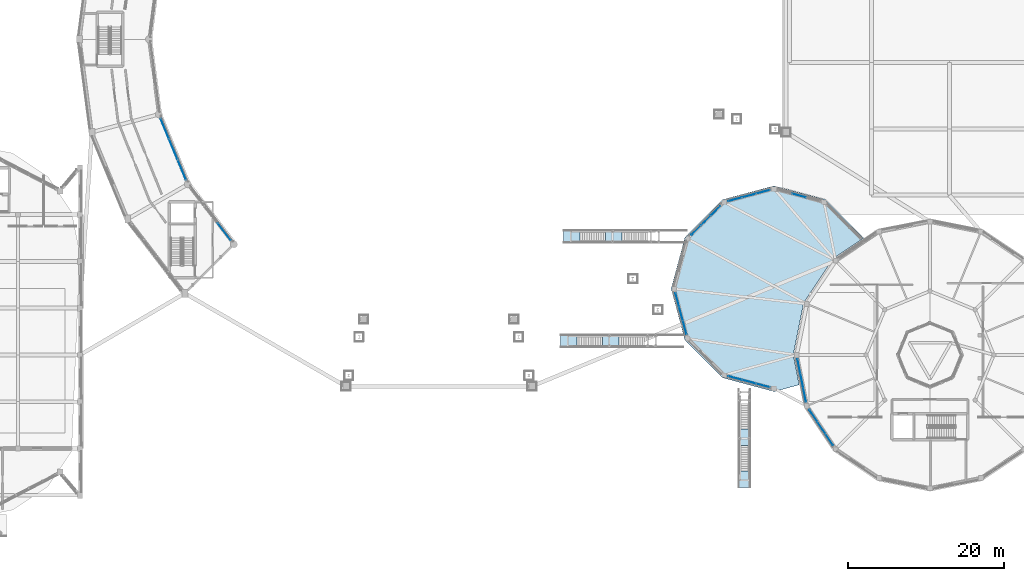
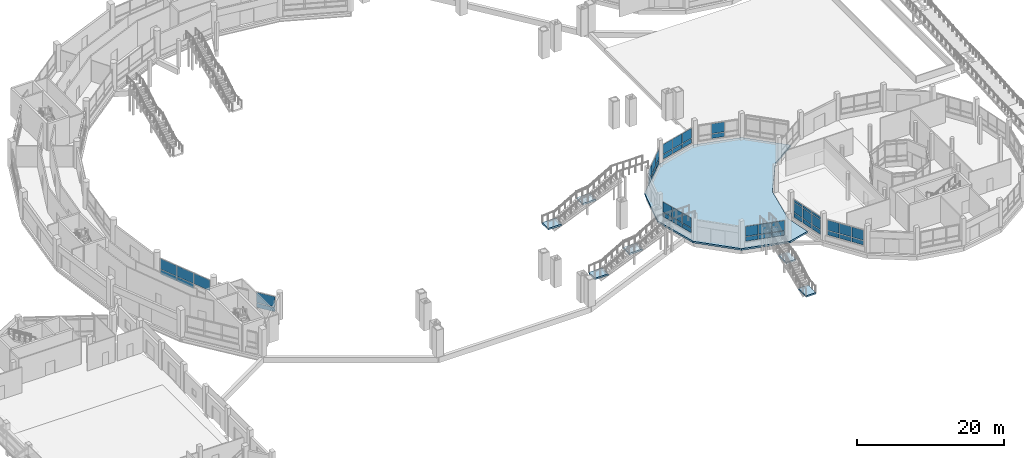
# One storey, part 99 of 129: 48 plates, 7 slabs, 12 elements without a shape of their own.
"""IFC4 building model written with IfcOpenShell, lengths in metres."""

from ifc_helpers import new_model, si_unit, direction, frame, origin, origin_2d, place, context, subcontext, project, spatial, polyline, rectangle, outline, extrude, material, layer, layer_set, type_object, element, aggregate, save


model = new_model("IFC4")

# Units and contexts
model_context = context("Model", 3, precision=1e-05, world=origin(), true_north=direction((0.0, 1.0)))
body_context = subcontext(model_context, "Body", "Model", "MODEL_VIEW")
ifc_project = project(units=[si_unit("LENGTHUNIT", "METRE"), si_unit("AREAUNIT", "SQUARE_METRE"), si_unit("VOLUMEUNIT", "CUBIC_METRE"), si_unit("PLANEANGLEUNIT", "RADIAN"), si_unit("MASSUNIT", "GRAM", prefix="KILO")], contexts=[model_context])

# Site, building, storey
site_placement = place(None, origin())
site = spatial("IfcSite", under=ifc_project, at=site_placement, CompositionType="ELEMENT")
building_placement = place(site_placement, origin())
building = spatial("IfcBuilding", under=site, at=building_placement, Name="Vespera Passage Community Centre", CompositionType="ELEMENT")
storey_placement = place(building_placement, origin())
storey = spatial("IfcBuildingStorey", under=building, at=storey_placement, Name="L00", CompositionType="ELEMENT", Elevation=0.0)

# Curtain wall, plates
ifc_material_1 = material(Name="Anodized aluminium 6063-T6", Category="aluminium")
ifc_layer_1 = layer(ifc_material_1, 0.159912109375)
ifc_layer_set_1 = layer_set([ifc_layer_1], Name="Anodized aluminium 6063-T6")
curtain_wall_type_1 = type_object("IfcCurtainWallType", Name="CW-103E", PredefinedType="NOTDEFINED", material=ifc_layer_set_1)
curtain_wall_1_placement = place(storey_placement, origin())
curtain_wall_1 = element("IfcCurtainWall", 1, at=curtain_wall_1_placement, inside=storey, type_object=curtain_wall_type_1, Name="Dining Drum Ribbon Curtain Wall L00.9", PredefinedType="NOTDEFINED")
ifc_material_2 = material(Name="Low-E insulated vision glass", Category="glass")
ifc_layer_2 = layer(ifc_material_2, 0.02001953125)
ifc_layer_set_2 = layer_set([ifc_layer_2], Name="Low-E insulated vision glass")
plate_type_1 = type_object("IfcPlateType", Name="PL-CWP-20E", PredefinedType="CURTAIN_PANEL", material=ifc_layer_set_2)
plate_1_placement = place(storey_placement, frame((124.915771484375, 19.8935546875, 0.4501953125), z_axis=(0.0, 0.0, 1.0), x_axis=(-0.195096778691, 0.980783996069, 0.0)))
plate_1 = element("IfcPlate", 2, at=plate_1_placement, type_object=plate_type_1, Name="CW-103E panel 1.1", PredefinedType="CURTAIN_PANEL", context=body_context, shape_type="SweptSolid", body=[
    extrude(rectangle(XDim=1.789306640625, YDim=0.02001953125, at=origin_2d()), origin(), (0.0, 0.0, 1.0), 0.699951171875),
])
plate_2_placement = place(storey_placement, frame((124.915771484375, 19.8935546875, 1.25), z_axis=(0.0, 0.0, 1.0), x_axis=(-0.195096778691, 0.980783996069, 0.0)))
plate_2 = element("IfcPlate", 3, at=plate_2_placement, type_object=plate_type_1, Name="CW-103E panel 1.2", PredefinedType="CURTAIN_PANEL", context=body_context, shape_type="SweptSolid", body=[
    extrude(rectangle(XDim=1.789306640625, YDim=0.02001953125, at=origin_2d()), origin(), (0.0, 0.0, 1.0), 1.625),
])
plate_3_placement = place(storey_placement, frame((124.915771484375, 19.8935546875, 2.97509765625), z_axis=(0.0, 0.0, 1.0), x_axis=(-0.195096778691, 0.980783996069, 0.0)))
plate_3 = element("IfcPlate", 4, at=plate_3_placement, type_object=plate_type_1, Name="CW-103E panel 1.3", PredefinedType="CURTAIN_PANEL", context=body_context, shape_type="SweptSolid", body=[
    extrude(rectangle(XDim=1.789306640625, YDim=0.02001953125, at=origin_2d()), origin(), (0.0, 0.0, 1.0), 0.39990234375),
])
plate_4_placement = place(storey_placement, frame((124.55078125, 21.72802734375, 0.4501953125), z_axis=(0.0, 0.0, 1.0), x_axis=(-0.195096778691, 0.980783996069, 0.0)))
plate_4 = element("IfcPlate", 5, at=plate_4_placement, type_object=plate_type_1, Name="CW-103E panel 2.1", PredefinedType="CURTAIN_PANEL", context=body_context, shape_type="SweptSolid", body=[
    extrude(rectangle(XDim=1.82177734375, YDim=0.02001953125, at=origin_2d()), origin(), (0.0, 0.0, 1.0), 0.699951171875),
])
plate_5_placement = place(storey_placement, frame((124.55078125, 21.72802734375, 1.25), z_axis=(0.0, 0.0, 1.0), x_axis=(-0.195096778691, 0.980783996069, 0.0)))
plate_5 = element("IfcPlate", 6, at=plate_5_placement, type_object=plate_type_1, Name="CW-103E panel 2.2", PredefinedType="CURTAIN_PANEL", context=body_context, shape_type="SweptSolid", body=[
    extrude(rectangle(XDim=1.82177734375, YDim=0.02001953125, at=origin_2d()), origin(), (0.0, 0.0, 1.0), 1.625),
])
plate_6_placement = place(storey_placement, frame((124.55078125, 21.72802734375, 2.97509765625), z_axis=(0.0, 0.0, 1.0), x_axis=(-0.195096778691, 0.980783996069, 0.0)))
plate_6 = element("IfcPlate", 7, at=plate_6_placement, type_object=plate_type_1, Name="CW-103E panel 2.3", PredefinedType="CURTAIN_PANEL", context=body_context, shape_type="SweptSolid", body=[
    extrude(rectangle(XDim=1.82177734375, YDim=0.02001953125, at=origin_2d()), origin(), (0.0, 0.0, 1.0), 0.39990234375),
])
plate_7_placement = place(storey_placement, frame((124.18603515625, 23.5625, 0.4501953125), z_axis=(0.0, 0.0, 1.0), x_axis=(-0.195096778691, 0.980783996069, 0.0)))
plate_7 = element("IfcPlate", 8, at=plate_7_placement, type_object=plate_type_1, Name="CW-103E panel 3.1", PredefinedType="CURTAIN_PANEL", context=body_context, shape_type="SweptSolid", body=[
    extrude(rectangle(XDim=1.789306640625, YDim=0.02001953125, at=origin_2d()), origin(), (0.0, 0.0, 1.0), 0.699951171875),
])
plate_8_placement = place(storey_placement, frame((124.18603515625, 23.5625, 1.25), z_axis=(0.0, 0.0, 1.0), x_axis=(-0.195096778691, 0.980783996069, 0.0)))
plate_8 = element("IfcPlate", 9, at=plate_8_placement, type_object=plate_type_1, Name="CW-103E panel 3.2", PredefinedType="CURTAIN_PANEL", context=body_context, shape_type="SweptSolid", body=[
    extrude(rectangle(XDim=1.789306640625, YDim=0.02001953125, at=origin_2d()), origin(), (0.0, 0.0, 1.0), 1.625),
])
plate_9_placement = place(storey_placement, frame((124.18603515625, 23.5625, 2.97509765625), z_axis=(0.0, 0.0, 1.0), x_axis=(-0.195096778691, 0.980783996069, 0.0)))
plate_9 = element("IfcPlate", 10, at=plate_9_placement, type_object=plate_type_1, Name="CW-103E panel 3.3", PredefinedType="CURTAIN_PANEL", context=body_context, shape_type="SweptSolid", body=[
    extrude(rectangle(XDim=1.789306640625, YDim=0.02001953125, at=origin_2d()), origin(), (0.0, 0.0, 1.0), 0.39990234375),
])
aggregate(curtain_wall_1, [plate_1, plate_2, plate_3, plate_4, plate_5, plate_6, plate_7, plate_8, plate_9])

ifc_material_3 = material(Name="Anodized aluminium 6063-T6", Category="aluminium")
ifc_layer_3 = layer(ifc_material_3, 0.159912109375)
ifc_layer_set_3 = layer_set([ifc_layer_3], Name="Anodized aluminium 6063-T6")
curtain_wall_type_2 = type_object("IfcCurtainWallType", Name="CW-102E", PredefinedType="NOTDEFINED", material=ifc_layer_set_3)
curtain_wall_2_placement = place(storey_placement, origin())
curtain_wall_2 = element("IfcCurtainWall", 11, at=curtain_wall_2_placement, inside=storey, type_object=curtain_wall_type_2, Name="Dining Drum Ribbon Curtain Wall L00.10", PredefinedType="NOTDEFINED")
plate_10_placement = place(storey_placement, frame((128.073974609375, 14.157470703125, 0.89990234375), z_axis=(0.0, 0.0, 1.0), x_axis=(-0.555564700918, 0.831473308708, 0.0)))
plate_10 = element("IfcPlate", 12, at=plate_10_placement, type_object=plate_type_1, Name="CW-102E panel 1.1", PredefinedType="CURTAIN_PANEL", context=body_context, shape_type="SweptSolid", body=[
    extrude(rectangle(XDim=1.752685546875, YDim=0.02001953125, at=origin_2d()), origin(), (0.0, 0.0, 1.0), 0.699951171875),
])
plate_11_placement = place(storey_placement, frame((128.073974609375, 14.157470703125, 1.7001953125), z_axis=(0.0, 0.0, 1.0), x_axis=(-0.555564700918, 0.831473308708, 0.0)))
plate_11 = element("IfcPlate", 13, at=plate_11_placement, type_object=plate_type_1, Name="CW-102E panel 1.2", PredefinedType="CURTAIN_PANEL", context=body_context, shape_type="SweptSolid", body=[
    extrude(rectangle(XDim=1.752685546875, YDim=0.02001953125, at=origin_2d()), origin(), (0.0, 0.0, 1.0), 1.675048828125),
])
plate_12_placement = place(storey_placement, frame((127.05517578125, 15.682373046875, 0.89990234375), z_axis=(0.0, 0.0, 1.0), x_axis=(-0.555564700918, 0.831473308708, 0.0)))
plate_12 = element("IfcPlate", 14, at=plate_12_placement, type_object=plate_type_1, Name="CW-102E panel 2.1", PredefinedType="CURTAIN_PANEL", context=body_context, shape_type="SweptSolid", body=[
    extrude(rectangle(XDim=1.78515625, YDim=0.02001953125, at=origin_2d()), origin(), (0.0, 0.0, 1.0), 0.699951171875),
])
plate_13_placement = place(storey_placement, frame((127.05517578125, 15.682373046875, 1.7001953125), z_axis=(0.0, 0.0, 1.0), x_axis=(-0.555564700918, 0.831473308708, 0.0)))
plate_13 = element("IfcPlate", 15, at=plate_13_placement, type_object=plate_type_1, Name="CW-102E panel 2.2", PredefinedType="CURTAIN_PANEL", context=body_context, shape_type="SweptSolid", body=[
    extrude(rectangle(XDim=1.78515625, YDim=0.02001953125, at=origin_2d()), origin(), (0.0, 0.0, 1.0), 1.675048828125),
])
plate_14_placement = place(storey_placement, frame((126.036376953125, 17.20703125, 0.89990234375), z_axis=(0.0, 0.0, 1.0), x_axis=(-0.555564700918, 0.831473308708, 0.0)))
plate_14 = element("IfcPlate", 16, at=plate_14_placement, type_object=plate_type_1, Name="CW-102E panel 3.1", PredefinedType="CURTAIN_PANEL", context=body_context, shape_type="SweptSolid", body=[
    extrude(rectangle(XDim=1.752685546875, YDim=0.02001953125, at=origin_2d()), origin(), (0.0, 0.0, 1.0), 0.699951171875),
])
plate_15_placement = place(storey_placement, frame((126.036376953125, 17.20703125, 1.7001953125), z_axis=(0.0, 0.0, 1.0), x_axis=(-0.555564700918, 0.831473308708, 0.0)))
plate_15 = element("IfcPlate", 17, at=plate_15_placement, type_object=plate_type_1, Name="CW-102E panel 3.2", PredefinedType="CURTAIN_PANEL", context=body_context, shape_type="SweptSolid", body=[
    extrude(rectangle(XDim=1.752685546875, YDim=0.02001953125, at=origin_2d()), origin(), (0.0, 0.0, 1.0), 1.675048828125),
])
aggregate(curtain_wall_2, [plate_10, plate_11, plate_12, plate_13, plate_14, plate_15])

ifc_material_4 = material(Name="Anodized aluminium 6063-T6", Category="aluminium")
ifc_layer_4 = layer(ifc_material_4, 0.159912109375)
ifc_layer_set_4 = layer_set([ifc_layer_4], Name="Anodized aluminium 6063-T6")
curtain_wall_type_3 = type_object("IfcCurtainWallType", Name="CW-112E", PredefinedType="NOTDEFINED", material=ifc_layer_set_4)
curtain_wall_3_placement = place(storey_placement, origin())
curtain_wall_3 = element("IfcCurtainWall", 18, at=curtain_wall_3_placement, inside=storey, type_object=curtain_wall_type_3, Name="Passage Espresso Cafe Ribbon Curtain Wall 3", PredefinedType="NOTDEFINED")
plate_16_placement = place(storey_placement, frame((124.199951171875, 45.442626953125, 0.8798828125), z_axis=(0.0, 0.0, 1.0), x_axis=(0.965928937444, -0.258807433834, 0.0)))
plate_16 = element("IfcPlate", 19, at=plate_16_placement, type_object=plate_type_1, Name="CW-112E panel 2.1", PredefinedType="CURTAIN_PANEL", context=body_context, shape_type="SweptSolid", body=[
    extrude(rectangle(XDim=1.80322265625, YDim=0.02001953125, at=origin_2d()), origin(), (0.0, 0.0, 1.0), 0.699951171875),
])
plate_17_placement = place(storey_placement, frame((124.199951171875, 45.442626953125, 1.68017578125), z_axis=(0.0, 0.0, 1.0), x_axis=(0.965928937444, -0.258807433834, 0.0)))
plate_17 = element("IfcPlate", 20, at=plate_17_placement, type_object=plate_type_1, Name="CW-112E panel 2.2", PredefinedType="CURTAIN_PANEL", context=body_context, shape_type="SweptSolid", body=[
    extrude(rectangle(XDim=1.80322265625, YDim=0.02001953125, at=origin_2d()), origin(), (0.0, 0.0, 1.0), 1.635009765625),
])
aggregate(curtain_wall_3, [plate_16, plate_17])

curtain_wall_4_placement = place(storey_placement, origin())
curtain_wall_4 = element("IfcCurtainWall", 21, at=curtain_wall_4_placement, inside=storey, type_object=curtain_wall_type_3, Name="Passage Espresso Cafe Ribbon Curtain Wall 4", PredefinedType="NOTDEFINED")
plate_18_placement = place(storey_placement, frame((116.01123046875, 44.963134765625, 0.8798828125), z_axis=(0.0, 0.0, 1.0), x_axis=(0.965928937444, 0.258807433834, 0.0)))
plate_18 = element("IfcPlate", 22, at=plate_18_placement, type_object=plate_type_1, Name="CW-112E panel 1.1", PredefinedType="CURTAIN_PANEL", context=body_context, shape_type="SweptSolid", body=[
    extrude(rectangle(XDim=1.770751953125, YDim=0.02001953125, at=origin_2d()), origin(), (0.0, 0.0, 1.0), 0.699951171875),
])
plate_19_placement = place(storey_placement, frame((116.01123046875, 44.963134765625, 1.68017578125), z_axis=(0.0, 0.0, 1.0), x_axis=(0.965928937444, 0.258807433834, 0.0)))
plate_19 = element("IfcPlate", 23, at=plate_19_placement, type_object=plate_type_1, Name="CW-112E panel 1.2", PredefinedType="CURTAIN_PANEL", context=body_context, shape_type="SweptSolid", body=[
    extrude(rectangle(XDim=1.770751953125, YDim=0.02001953125, at=origin_2d()), origin(), (0.0, 0.0, 1.0), 1.635009765625),
])
plate_20_placement = place(storey_placement, frame((117.800048828125, 45.442626953125, 0.8798828125), z_axis=(0.0, 0.0, 1.0), x_axis=(0.965928937444, 0.258807433834, 0.0)))
plate_20 = element("IfcPlate", 24, at=plate_20_placement, type_object=plate_type_1, Name="CW-112E panel 2.1", PredefinedType="CURTAIN_PANEL", context=body_context, shape_type="SweptSolid", body=[
    extrude(rectangle(XDim=1.80322265625, YDim=0.02001953125, at=origin_2d()), origin(), (0.0, 0.0, 1.0), 0.699951171875),
])
plate_21_placement = place(storey_placement, frame((117.800048828125, 45.442626953125, 1.68017578125), z_axis=(0.0, 0.0, 1.0), x_axis=(0.965928937444, 0.258807433834, 0.0)))
plate_21 = element("IfcPlate", 25, at=plate_21_placement, type_object=plate_type_1, Name="CW-112E panel 2.2", PredefinedType="CURTAIN_PANEL", context=body_context, shape_type="SweptSolid", body=[
    extrude(rectangle(XDim=1.80322265625, YDim=0.02001953125, at=origin_2d()), origin(), (0.0, 0.0, 1.0), 1.635009765625),
])
plate_22_placement = place(storey_placement, frame((119.5888671875, 45.921875, 0.8798828125), z_axis=(0.0, 0.0, 1.0), x_axis=(0.965928937444, 0.258807433834, 0.0)))
plate_22 = element("IfcPlate", 26, at=plate_22_placement, type_object=plate_type_1, Name="CW-112E panel 3.1", PredefinedType="CURTAIN_PANEL", context=body_context, shape_type="SweptSolid", body=[
    extrude(rectangle(XDim=1.770751953125, YDim=0.02001953125, at=origin_2d()), origin(), (0.0, 0.0, 1.0), 0.699951171875),
])
plate_23_placement = place(storey_placement, frame((119.5888671875, 45.921875, 1.68017578125), z_axis=(0.0, 0.0, 1.0), x_axis=(0.965928937444, 0.258807433834, 0.0)))
plate_23 = element("IfcPlate", 27, at=plate_23_placement, type_object=plate_type_1, Name="CW-112E panel 3.2", PredefinedType="CURTAIN_PANEL", context=body_context, shape_type="SweptSolid", body=[
    extrude(rectangle(XDim=1.770751953125, YDim=0.02001953125, at=origin_2d()), origin(), (0.0, 0.0, 1.0), 1.635009765625),
])
aggregate(curtain_wall_4, [plate_18, plate_19, plate_20, plate_21, plate_22, plate_23])

ifc_material_5 = material(Name="Anodized aluminium 6063-T6", Category="aluminium")
ifc_layer_5 = layer(ifc_material_5, 0.159912109375)
ifc_layer_set_5 = layer_set([ifc_layer_5], Name="Anodized aluminium 6063-T6")
curtain_wall_type_4 = type_object("IfcCurtainWallType", Name="CW-113E", PredefinedType="NOTDEFINED", material=ifc_layer_set_5)
curtain_wall_5_placement = place(storey_placement, origin())
curtain_wall_5 = element("IfcCurtainWall", 28, at=curtain_wall_5_placement, inside=storey, type_object=curtain_wall_type_4, Name="Passage Espresso Cafe Ribbon Curtain Wall 5", PredefinedType="NOTDEFINED")
plate_24_placement = place(storey_placement, frame((111.00146484375, 40.986572265625, 0.8798828125), z_axis=(0.0, 0.0, 1.0), x_axis=(0.707106781187, 0.707106781187, 0.0)))
plate_24 = element("IfcPlate", 29, at=plate_24_placement, type_object=plate_type_1, Name="CW-113E panel 1.1", PredefinedType="CURTAIN_PANEL", context=body_context, shape_type="SweptSolid", body=[
    extrude(rectangle(XDim=1.69482421875, YDim=0.02001953125, at=origin_2d()), origin(), (0.0, 0.0, 1.0), 0.699951171875),
])
plate_25_placement = place(storey_placement, frame((111.00146484375, 40.986572265625, 1.68017578125), z_axis=(0.0, 0.0, 1.0), x_axis=(0.707106781187, 0.707106781187, 0.0)))
plate_25 = element("IfcPlate", 30, at=plate_25_placement, type_object=plate_type_1, Name="CW-113E panel 1.2", PredefinedType="CURTAIN_PANEL", context=body_context, shape_type="SweptSolid", body=[
    extrude(rectangle(XDim=1.69482421875, YDim=0.02001953125, at=origin_2d()), origin(), (0.0, 0.0, 1.0), 1.635009765625),
])
plate_26_placement = place(storey_placement, frame((112.257568359375, 42.242431640625, 0.8798828125), z_axis=(0.0, 0.0, 1.0), x_axis=(0.707106781187, 0.707106781187, 0.0)))
plate_26 = element("IfcPlate", 31, at=plate_26_placement, type_object=plate_type_1, Name="CW-113E panel 2.1", PredefinedType="CURTAIN_PANEL", context=body_context, shape_type="SweptSolid", body=[
    extrude(rectangle(XDim=1.7275390625, YDim=0.02001953125, at=origin_2d()), origin(), (0.0, 0.0, 1.0), 0.699951171875),
])
plate_27_placement = place(storey_placement, frame((112.257568359375, 42.242431640625, 1.68017578125), z_axis=(0.0, 0.0, 1.0), x_axis=(0.707106781187, 0.707106781187, 0.0)))
plate_27 = element("IfcPlate", 32, at=plate_27_placement, type_object=plate_type_1, Name="CW-113E panel 2.2", PredefinedType="CURTAIN_PANEL", context=body_context, shape_type="SweptSolid", body=[
    extrude(rectangle(XDim=1.7275390625, YDim=0.02001953125, at=origin_2d()), origin(), (0.0, 0.0, 1.0), 1.635009765625),
])
plate_28_placement = place(storey_placement, frame((113.513427734375, 43.49853515625, 0.8798828125), z_axis=(0.0, 0.0, 1.0), x_axis=(0.707106781187, 0.707106781187, 0.0)))
plate_28 = element("IfcPlate", 33, at=plate_28_placement, type_object=plate_type_1, Name="CW-113E panel 3.1", PredefinedType="CURTAIN_PANEL", context=body_context, shape_type="SweptSolid", body=[
    extrude(rectangle(XDim=1.69482421875, YDim=0.02001953125, at=origin_2d()), origin(), (0.0, 0.0, 1.0), 0.699951171875),
])
plate_29_placement = place(storey_placement, frame((113.513427734375, 43.49853515625, 1.68017578125), z_axis=(0.0, 0.0, 1.0), x_axis=(0.707106781187, 0.707106781187, 0.0)))
plate_29 = element("IfcPlate", 34, at=plate_29_placement, type_object=plate_type_1, Name="CW-113E panel 3.2", PredefinedType="CURTAIN_PANEL", context=body_context, shape_type="SweptSolid", body=[
    extrude(rectangle(XDim=1.69482421875, YDim=0.02001953125, at=origin_2d()), origin(), (0.0, 0.0, 1.0), 1.635009765625),
])
aggregate(curtain_wall_5, [plate_24, plate_25, plate_26, plate_27, plate_28, plate_29])

curtain_wall_6_placement = place(storey_placement, origin())
curtain_wall_6 = element("IfcCurtainWall", 35, at=curtain_wall_6_placement, inside=storey, type_object=curtain_wall_type_3, Name="Passage Espresso Cafe Ribbon Curtain Wall 7", PredefinedType="NOTDEFINED")
plate_30_placement = place(storey_placement, frame((109.536865234375, 28.51123046875, 0.8798828125), z_axis=(0.0, 0.0, 1.0), x_axis=(-0.258807433834, 0.965928937444, 0.0)))
plate_30 = element("IfcPlate", 36, at=plate_30_placement, type_object=plate_type_1, Name="CW-112E panel 1.1", PredefinedType="CURTAIN_PANEL", context=body_context, shape_type="SweptSolid", body=[
    extrude(rectangle(XDim=1.770751953125, YDim=0.02001953125, at=origin_2d()), origin(), (0.0, 0.0, 1.0), 0.699951171875),
])
plate_31_placement = place(storey_placement, frame((109.536865234375, 28.51123046875, 1.68017578125), z_axis=(0.0, 0.0, 1.0), x_axis=(-0.258807433834, 0.965928937444, 0.0)))
plate_31 = element("IfcPlate", 37, at=plate_31_placement, type_object=plate_type_1, Name="CW-112E panel 1.2", PredefinedType="CURTAIN_PANEL", context=body_context, shape_type="SweptSolid", body=[
    extrude(rectangle(XDim=1.770751953125, YDim=0.02001953125, at=origin_2d()), origin(), (0.0, 0.0, 1.0), 1.635009765625),
])
plate_32_placement = place(storey_placement, frame((109.057373046875, 30.300048828125, 0.8798828125), z_axis=(0.0, 0.0, 1.0), x_axis=(-0.258807433834, 0.965928937444, 0.0)))
plate_32 = element("IfcPlate", 38, at=plate_32_placement, type_object=plate_type_1, Name="CW-112E panel 2.1", PredefinedType="CURTAIN_PANEL", context=body_context, shape_type="SweptSolid", body=[
    extrude(rectangle(XDim=1.80322265625, YDim=0.02001953125, at=origin_2d()), origin(), (0.0, 0.0, 1.0), 0.699951171875),
])
plate_33_placement = place(storey_placement, frame((109.057373046875, 30.300048828125, 1.68017578125), z_axis=(0.0, 0.0, 1.0), x_axis=(-0.258807433834, 0.965928937444, 0.0)))
plate_33 = element("IfcPlate", 39, at=plate_33_placement, type_object=plate_type_1, Name="CW-112E panel 2.2", PredefinedType="CURTAIN_PANEL", context=body_context, shape_type="SweptSolid", body=[
    extrude(rectangle(XDim=1.80322265625, YDim=0.02001953125, at=origin_2d()), origin(), (0.0, 0.0, 1.0), 1.635009765625),
])
plate_34_placement = place(storey_placement, frame((108.578125, 32.0888671875, 0.8798828125), z_axis=(0.0, 0.0, 1.0), x_axis=(-0.258807433834, 0.965928937444, 0.0)))
plate_34 = element("IfcPlate", 40, at=plate_34_placement, type_object=plate_type_1, Name="CW-112E panel 3.1", PredefinedType="CURTAIN_PANEL", context=body_context, shape_type="SweptSolid", body=[
    extrude(rectangle(XDim=1.770751953125, YDim=0.02001953125, at=origin_2d()), origin(), (0.0, 0.0, 1.0), 0.699951171875),
])
plate_35_placement = place(storey_placement, frame((108.578125, 32.0888671875, 1.68017578125), z_axis=(0.0, 0.0, 1.0), x_axis=(-0.258807433834, 0.965928937444, 0.0)))
plate_35 = element("IfcPlate", 41, at=plate_35_placement, type_object=plate_type_1, Name="CW-112E panel 3.2", PredefinedType="CURTAIN_PANEL", context=body_context, shape_type="SweptSolid", body=[
    extrude(rectangle(XDim=1.770751953125, YDim=0.02001953125, at=origin_2d()), origin(), (0.0, 0.0, 1.0), 1.635009765625),
])
aggregate(curtain_wall_6, [plate_30, plate_31, plate_32, plate_33, plate_34, plate_35])

curtain_wall_7_placement = place(storey_placement, origin())
curtain_wall_7 = element("IfcCurtainWall", 42, at=curtain_wall_7_placement, inside=storey, type_object=curtain_wall_type_3, Name="Passage Espresso Cafe Ribbon Curtain Wall 9", PredefinedType="NOTDEFINED")
plate_36_placement = place(storey_placement, frame((119.5888671875, 21.078125, 0.8798828125), z_axis=(0.0, 0.0, 1.0), x_axis=(-0.965928937444, 0.258807433834, 0.0)))
plate_36 = element("IfcPlate", 43, at=plate_36_placement, type_object=plate_type_1, Name="CW-112E panel 1.1", PredefinedType="CURTAIN_PANEL", context=body_context, shape_type="SweptSolid", body=[
    extrude(rectangle(XDim=1.770751953125, YDim=0.02001953125, at=origin_2d()), origin(), (0.0, 0.0, 1.0), 0.699951171875),
])
plate_37_placement = place(storey_placement, frame((119.5888671875, 21.078125, 1.68017578125), z_axis=(0.0, 0.0, 1.0), x_axis=(-0.965928937444, 0.258807433834, 0.0)))
plate_37 = element("IfcPlate", 44, at=plate_37_placement, type_object=plate_type_1, Name="CW-112E panel 1.2", PredefinedType="CURTAIN_PANEL", context=body_context, shape_type="SweptSolid", body=[
    extrude(rectangle(XDim=1.770751953125, YDim=0.02001953125, at=origin_2d()), origin(), (0.0, 0.0, 1.0), 1.635009765625),
])
plate_38_placement = place(storey_placement, frame((117.800048828125, 21.557373046875, 0.8798828125), z_axis=(0.0, 0.0, 1.0), x_axis=(-0.965928937444, 0.258807433834, 0.0)))
plate_38 = element("IfcPlate", 45, at=plate_38_placement, type_object=plate_type_1, Name="CW-112E panel 2.1", PredefinedType="CURTAIN_PANEL", context=body_context, shape_type="SweptSolid", body=[
    extrude(rectangle(XDim=1.80322265625, YDim=0.02001953125, at=origin_2d()), origin(), (0.0, 0.0, 1.0), 0.699951171875),
])
plate_39_placement = place(storey_placement, frame((117.800048828125, 21.557373046875, 1.68017578125), z_axis=(0.0, 0.0, 1.0), x_axis=(-0.965928937444, 0.258807433834, 0.0)))
plate_39 = element("IfcPlate", 46, at=plate_39_placement, type_object=plate_type_1, Name="CW-112E panel 2.2", PredefinedType="CURTAIN_PANEL", context=body_context, shape_type="SweptSolid", body=[
    extrude(rectangle(XDim=1.80322265625, YDim=0.02001953125, at=origin_2d()), origin(), (0.0, 0.0, 1.0), 1.635009765625),
])
plate_40_placement = place(storey_placement, frame((116.01123046875, 22.036865234375, 0.8798828125), z_axis=(0.0, 0.0, 1.0), x_axis=(-0.965928937444, 0.258807433834, 0.0)))
plate_40 = element("IfcPlate", 47, at=plate_40_placement, type_object=plate_type_1, Name="CW-112E panel 3.1", PredefinedType="CURTAIN_PANEL", context=body_context, shape_type="SweptSolid", body=[
    extrude(rectangle(XDim=1.770751953125, YDim=0.02001953125, at=origin_2d()), origin(), (0.0, 0.0, 1.0), 0.699951171875),
])
plate_41_placement = place(storey_placement, frame((116.01123046875, 22.036865234375, 1.68017578125), z_axis=(0.0, 0.0, 1.0), x_axis=(-0.965928937444, 0.258807433834, 0.0)))
plate_41 = element("IfcPlate", 48, at=plate_41_placement, type_object=plate_type_1, Name="CW-112E panel 3.2", PredefinedType="CURTAIN_PANEL", context=body_context, shape_type="SweptSolid", body=[
    extrude(rectangle(XDim=1.770751953125, YDim=0.02001953125, at=origin_2d()), origin(), (0.0, 0.0, 1.0), 1.635009765625),
])
aggregate(curtain_wall_7, [plate_36, plate_37, plate_38, plate_39, plate_40, plate_41])

ifc_material_6 = material(Name="Anodized aluminium 6063-T6", Category="aluminium")
ifc_layer_6 = layer(ifc_material_6, 0.159912109375)
ifc_layer_set_6 = layer_set([ifc_layer_6], Name="Anodized aluminium 6063-T6")
curtain_wall_type_5 = type_object("IfcCurtainWallType", Name="CW-02E", PredefinedType="NOTDEFINED", material=ifc_layer_set_6)
curtain_wall_8_placement = place(storey_placement, origin())
curtain_wall_8 = element("IfcCurtainWall", 49, at=curtain_wall_8_placement, inside=storey, type_object=curtain_wall_type_5, Name="V4 L00 Inner Court Curtain Wall 13", PredefinedType="NOTDEFINED")
ifc_material_7 = material(Name="Low-E insulated vision glass", Category="glass")
ifc_layer_7 = layer(ifc_material_7, 0.028076171875)
ifc_layer_set_7 = layer_set([ifc_layer_7], Name="Low-E insulated vision glass")
plate_type_2 = type_object("IfcPlateType", Name="PL-CWP-28E", PredefinedType="CURTAIN_PANEL", material=ifc_layer_set_7)
plate_42_placement = place(storey_placement, frame((42.831787109375, 54.02685546875, 0.8798828125), z_axis=(0.0, 0.0, 1.0), x_axis=(0.382690463482, -0.923876620096, 0.0)))
plate_42 = element("IfcPlate", 50, at=plate_42_placement, type_object=plate_type_2, Name="CW-02E panel 1.1", PredefinedType="CURTAIN_PANEL", context=body_context, shape_type="SweptSolid", body=[
    extrude(rectangle(XDim=2.7646484375, YDim=0.028076171875, at=origin_2d()), origin(), (0.0, 0.0, 1.0), 0.760009765625),
])
plate_43_placement = place(storey_placement, frame((42.831787109375, 54.02685546875, 1.7001953125), z_axis=(0.0, 0.0, 1.0), x_axis=(0.382690463482, -0.923876620096, 0.0)))
plate_43 = element("IfcPlate", 51, at=plate_43_placement, type_object=plate_type_2, Name="CW-02E panel 1.2", PredefinedType="CURTAIN_PANEL", context=body_context, shape_type="SweptSolid", body=[
    extrude(rectangle(XDim=2.7646484375, YDim=0.028076171875, at=origin_2d()), origin(), (0.0, 0.0, 1.0), 1.769287109375),
])
plate_44_placement = place(storey_placement, frame((43.92578125, 51.385986328125, 0.8798828125), z_axis=(0.0, 0.0, 1.0), x_axis=(0.382690463482, -0.923876620096, 0.0)))
plate_44 = element("IfcPlate", 52, at=plate_44_placement, type_object=plate_type_2, Name="CW-02E panel 2.1", PredefinedType="CURTAIN_PANEL", context=body_context, shape_type="SweptSolid", body=[
    extrude(rectangle(XDim=2.80224609375, YDim=0.028076171875, at=origin_2d()), origin(), (0.0, 0.0, 1.0), 0.760009765625),
])
plate_45_placement = place(storey_placement, frame((43.92578125, 51.385986328125, 1.7001953125), z_axis=(0.0, 0.0, 1.0), x_axis=(0.382690463482, -0.923876620096, 0.0)))
plate_45 = element("IfcPlate", 53, at=plate_45_placement, type_object=plate_type_2, Name="CW-02E panel 2.2", PredefinedType="CURTAIN_PANEL", context=body_context, shape_type="SweptSolid", body=[
    extrude(rectangle(XDim=2.80224609375, YDim=0.028076171875, at=origin_2d()), origin(), (0.0, 0.0, 1.0), 1.769287109375),
])
plate_46_placement = place(storey_placement, frame((45.019775390625, 48.7451171875, 1.7001953125), z_axis=(0.0, 0.0, 1.0), x_axis=(0.382690463482, -0.923876620096, 0.0)))
plate_46 = element("IfcPlate", 54, at=plate_46_placement, type_object=plate_type_2, Name="CW-02E panel 3.2", PredefinedType="CURTAIN_PANEL", context=body_context, shape_type="SweptSolid", body=[
    extrude(rectangle(XDim=2.7646484375, YDim=0.028076171875, at=origin_2d()), origin(), (0.0, 0.0, 1.0), 1.769287109375),
])
aggregate(curtain_wall_8, [plate_42, plate_43, plate_44, plate_45, plate_46])

ifc_material_8 = material(Name="Anodized aluminium 6063-T6", Category="aluminium")
ifc_layer_8 = layer(ifc_material_8, 0.159912109375)
ifc_layer_set_8 = layer_set([ifc_layer_8], Name="Anodized aluminium 6063-T6")
curtain_wall_type_6 = type_object("IfcCurtainWallType", Name="CW-05E", PredefinedType="NOTDEFINED", material=ifc_layer_set_8)
curtain_wall_9_placement = place(storey_placement, origin())
curtain_wall_9 = element("IfcCurtainWall", 55, at=curtain_wall_9_placement, inside=storey, type_object=curtain_wall_type_6, Name="V4 L00 Inner Court Curtain Wall 14", PredefinedType="NOTDEFINED")
ifc_material_9 = material(Name="Acoustic triple-glazed vision glass", Category="glass")
ifc_layer_9 = layer(ifc_material_9, 0.035888671875)
ifc_layer_set_9 = layer_set([ifc_layer_9], Name="Acoustic triple-glazed vision glass")
plate_type_3 = type_object("IfcPlateType", Name="PL-CWP-36E", PredefinedType="CURTAIN_PANEL", material=ifc_layer_set_9)
plate_47_placement = place(storey_placement, frame((50.459716796875, 40.806396484375, 0.919921875), z_axis=(0.0, 0.0, 1.0), x_axis=(0.608755087843, -0.793358205999, 0.0)))
plate_47 = element("IfcPlate", 56, at=plate_47_placement, type_object=plate_type_3, Name="CW-05E panel 3.1", PredefinedType="CURTAIN_PANEL", context=body_context, shape_type="SweptSolid", body=[
    extrude(rectangle(XDim=2.744140625, YDim=0.035888671875, at=origin_2d()), origin(), (0.0, 0.0, 1.0), 0.699951171875),
])
plate_48_placement = place(storey_placement, frame((50.459716796875, 40.806396484375, 1.719970703125), z_axis=(0.0, 0.0, 1.0), x_axis=(0.608755087843, -0.793358205999, 0.0)))
plate_48 = element("IfcPlate", 57, at=plate_48_placement, type_object=plate_type_3, Name="CW-05E panel 3.2", PredefinedType="CURTAIN_PANEL", context=body_context, shape_type="SweptSolid", body=[
    extrude(rectangle(XDim=2.744140625, YDim=0.035888671875, at=origin_2d()), origin(), (0.0, 0.0, 1.0), 1.70947265625),
])
aggregate(curtain_wall_9, [plate_47, plate_48])

# Slab
ifc_material_10 = material(Name="Concrete f'c 35 MPa", Category="concrete")
ifc_layer_10 = layer(ifc_material_10, 0.280029296875)
ifc_layer_set_10 = layer_set([ifc_layer_10], Name="Concrete f'c 35 MPa")
slab_type_1 = type_object("IfcSlabType", Name="SL-DRUM-280", PredefinedType="FLOOR", material=ifc_layer_set_10)
slab_1_placement = place(storey_placement, frame((0.0, 0.0, -0.280029296875)))
element("IfcSlab", 58, at=slab_1_placement, inside=storey, type_object=slab_type_1, Name="V3A L00 Passage Cafe Drum Slab", PredefinedType="FLOOR", context=body_context, shape_type="SweptSolid", body=[
    extrude(outline(polyline([(121.0, 20.300048828125), (114.39990234375, 22.068603515625), (109.568603515625, 26.89990234375), (107.800048828125, 33.5), (109.568603515625, 40.10009765625), (114.39990234375, 44.931396484375), (121.0, 46.699951171875), (127.60009765625, 44.931396484375), (132.431396484375, 40.10009765625), (132.46484375, 39.9755859375), (128.60400390625, 37.39599609375), (124.8037109375, 31.708740234375), (123.469482421875, 25.0), (124.23193359375, 21.166015625), (121.0, 20.300048828125)])), origin(), (0.0, 0.0, 1.0), 0.280029296875),
])

# Stair, slab
ifc_material_11 = material(Name="Concrete f'c 35 MPa", Category="concrete")
stair_type_1 = type_object("IfcStairType", Name="ST-STR-165", PredefinedType="STRAIGHT_RUN_STAIR", material=ifc_material_11)
stair_1_placement = place(storey_placement, origin())
stair_1 = element("IfcStair", 59, at=stair_1_placement, inside=storey, type_object=stair_type_1, Name="Courtyard Feature Stair ST-CRT-01", PredefinedType="STRAIGHT_RUN_STAIR")
ifc_material_12 = material(Name="Concrete f'c 35 MPa", Category="concrete")
ifc_layer_11 = layer(ifc_material_12, 0.260009765625)
ifc_layer_set_11 = layer_set([ifc_layer_11], Name="Concrete f'c 35 MPa")
slab_type_2 = type_object("IfcSlabType", Name="SL-MLAND-260E", PredefinedType="LANDING", material=ifc_layer_set_11)
slab_2_placement = place(storey_placement, frame((0.0, 0.0, 1.989990234375)))
slab_2 = element("IfcSlab", 60, at=slab_2_placement, type_object=slab_type_2, Name="ST-STR-165 landing 1", PredefinedType="LANDING", context=body_context, shape_type="SweptSolid", body=[
    extrude(outline(polyline([(99.0, 25.97509765625), (101.1201171875, 25.97509765625), (101.1201171875, 27.625), (99.0, 27.625), (99.0, 25.97509765625)])), origin(), (0.0, 0.0, 1.0), 0.260009765625),
])
aggregate(stair_1, [slab_2])

stair_2_placement = place(storey_placement, origin())
stair_2 = element("IfcStair", 61, at=stair_2_placement, inside=storey, type_object=stair_type_1, Name="Courtyard Feature Stair ST-CRT-02", PredefinedType="STRAIGHT_RUN_STAIR")
slab_3_placement = place(storey_placement, frame((0.0, 0.0, 1.989990234375)))
slab_3 = element("IfcSlab", 62, at=slab_3_placement, type_object=slab_type_2, Name="ST-STR-165 landing 1", PredefinedType="LANDING", context=body_context, shape_type="SweptSolid", body=[
    extrude(outline(polyline([(99.39990234375, 39.375), (101.52001953125, 39.375), (101.52001953125, 41.02490234375), (99.39990234375, 41.02490234375), (99.39990234375, 39.375)])), origin(), (0.0, 0.0, 1.0), 0.260009765625),
])
aggregate(stair_2, [slab_3])

ifc_material_13 = material(Name="Concrete f'c 35 MPa", Category="concrete")
stair_type_2 = type_object("IfcStairType", Name="ST-STR-155", PredefinedType="STRAIGHT_RUN_STAIR", material=ifc_material_13)
stair_3_placement = place(storey_placement, origin())
stair_3 = element("IfcStair", 63, at=stair_3_placement, inside=storey, type_object=stair_type_2, Name="Courtyard Feature Stair ST-CRT-05", PredefinedType="STRAIGHT_RUN_STAIR")
slab_4_placement = place(storey_placement, frame((0.0, 0.0, 1.989990234375)))
slab_4 = element("IfcSlab", 64, at=slab_4_placement, type_object=slab_type_2, Name="ST-STR-155 landing 1", PredefinedType="LANDING", context=body_context, shape_type="SweptSolid", body=[
    extrude(outline(polyline([(117.97509765625, 13.39990234375), (117.97509765625, 15.52001953125), (116.425048828125, 15.52001953125), (116.425048828125, 13.39990234375), (117.97509765625, 13.39990234375)])), origin(), (0.0, 0.0, 1.0), 0.260009765625),
])
aggregate(stair_3, [slab_4])

# Slabs
ifc_material_14 = material(Name="Concrete f'c 35 MPa", Category="concrete")
ifc_layer_12 = layer(ifc_material_14, 0.260009765625)
ifc_layer_set_12 = layer_set([ifc_layer_12], Name="Concrete f'c 35 MPa")
slab_type_3 = type_object("IfcSlabType", Name="SL-RLAND-260E", PredefinedType="LANDING", material=ifc_layer_set_12)
slab_5_placement = place(storey_placement, frame((0.0, 0.0, -0.260009765625)))
element("IfcSlab", 65, at=slab_5_placement, inside=storey, type_object=slab_type_3, Name="ST-CRT-01 Departure Landing", PredefinedType="LANDING", context=body_context, shape_type="SweptSolid", body=[
    extrude(outline(polyline([(93.60009765625, 25.97509765625), (95.719970703125, 25.97509765625), (95.719970703125, 27.625), (93.60009765625, 27.625), (93.60009765625, 25.97509765625)])), origin(), (0.0, 0.0, 1.0), 0.260009765625),
])
slab_6_placement = place(storey_placement, frame((0.0, 0.0, -0.260009765625)))
element("IfcSlab", 66, at=slab_6_placement, inside=storey, type_object=slab_type_3, Name="ST-CRT-02 Departure Landing", PredefinedType="LANDING", context=body_context, shape_type="SweptSolid", body=[
    extrude(outline(polyline([(94.0, 39.375), (96.1201171875, 39.375), (96.1201171875, 41.02490234375), (94.0, 41.02490234375), (94.0, 39.375)])), origin(), (0.0, 0.0, 1.0), 0.260009765625),
])
slab_7_placement = place(storey_placement, frame((0.0, 0.0, -0.260009765625)))
element("IfcSlab", 67, at=slab_7_placement, inside=storey, type_object=slab_type_3, Name="ST-CRT-05 Departure Landing", PredefinedType="LANDING", context=body_context, shape_type="SweptSolid", body=[
    extrude(outline(polyline([(117.97509765625, 8.0), (117.97509765625, 10.1201171875), (116.425048828125, 10.1201171875), (116.425048828125, 8.0), (117.97509765625, 8.0)])), origin(), (0.0, 0.0, 1.0), 0.260009765625),
])

save(model, "model.ifc")
